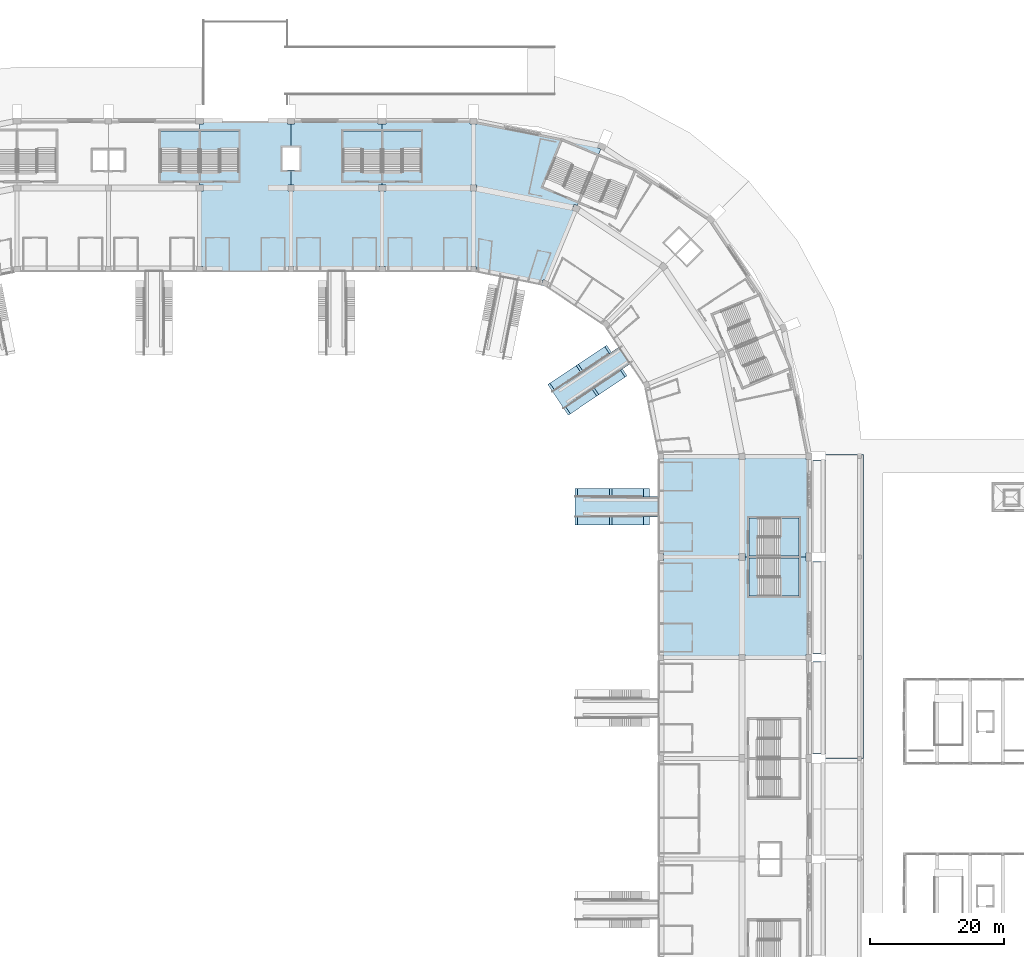
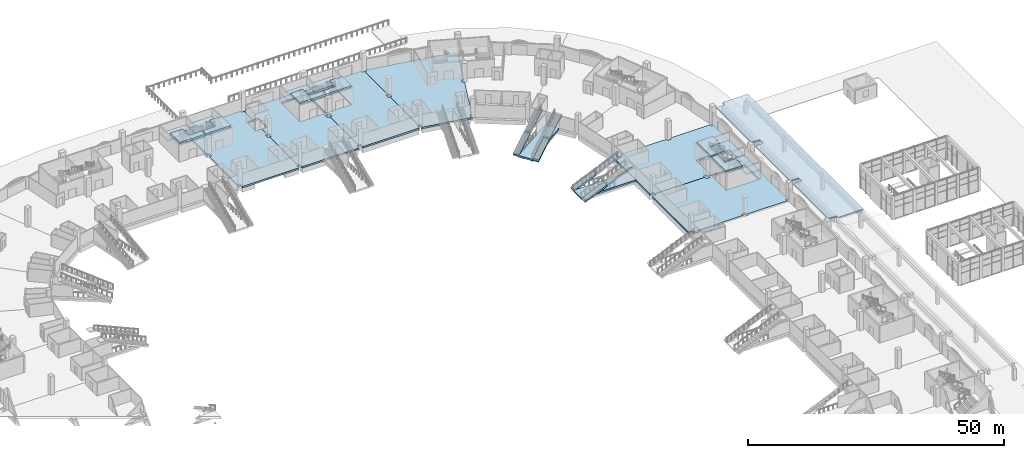
# One storey, part 23 of 175: 29 slabs, 6 elements without a shape of their own.
"""IFC4 building model written with IfcOpenShell, lengths in metres."""

import ifcopenshell
import ifcopenshell.guid

model = None  # the IFC model being written
_history = None  # IfcOwnerHistory: only IFC2X3 demands one
_inside = {}  # id of a spatial element -> (the spatial element, [elements in it])
_under = {}  # id of a project, library or spatial element -> (it, [spatial elements below it])
_declared = {}  # id of a project -> (the project, [libraries it declares])
_typed = {}  # id of a type object -> (the type object, [elements of that type])
_made_of = {}  # id of a material, layer set ... -> (it, [elements and type objects made of it])


def new_model(schema):
    """Start an empty IFC model of exactly this schema.

    Asked for "IFC4X3", IfcOpenShell would pick the latest addendum, in which some entities
    have other attributes; the version numbers below select the first issue.
    IFC2X3 requires an IfcOwnerHistory on every rooted entity: one is made here for all.
    """
    global model, _history
    if schema == "IFC4X3":
        model = ifcopenshell.file(schema_version=(4, 3, 0, 0))
    else:
        model = ifcopenshell.file(schema=schema)
    _inside.clear()
    _under.clear()
    _declared.clear()
    _typed.clear()
    _made_of.clear()
    _history = None
    if model.schema == "IFC2X3":
        org = make("IfcOrganization", Name="unknown")
        user = make(
            "IfcPersonAndOrganization",
            ThePerson=make("IfcPerson", FamilyName="unknown"),
            TheOrganization=org,
        )
        app = make(
            "IfcApplication",
            ApplicationDeveloper=org,
            Version="unknown",
            ApplicationFullName="unknown",
            ApplicationIdentifier="unknown",
        )
        _history = make(
            "IfcOwnerHistory",
            OwningUser=user,
            OwningApplication=app,
            ChangeAction="ADDED",
            CreationDate=0,
        )
    return model


def make(cls, **values):
    """One entity of the class cls with the attributes given. An attribute that is None is left unset."""
    return model.create_entity(
        cls, **{name: value for name, value in values.items() if value is not None}
    )


def rooted(cls, **values):
    """An entity with a GlobalId (a new one), such as an element, a storey or a relation."""
    return make(cls, GlobalId=ifcopenshell.guid.new(), OwnerHistory=_history, **values)


def si_unit(unit_type, name, prefix=None):
    """IfcSIUnit, for example si_unit("LENGTHUNIT", "METRE", prefix="MILLI")."""
    return make("IfcSIUnit", UnitType=unit_type, Prefix=prefix, Name=name)


def assignment(units):
    """IfcUnitAssignment: the units of a project."""
    return None if units is None else make("IfcUnitAssignment", Units=units)


def point(xyz):
    """IfcCartesianPoint."""
    return None if xyz is None else make("IfcCartesianPoint", Coordinates=xyz)


def direction(xyz):
    """IfcDirection."""
    return None if xyz is None else make("IfcDirection", DirectionRatios=xyz)


def frame(location, z_axis=None, x_axis=None):
    """IfcAxis2Placement3D, a coordinate frame: its origin and axes. An axis left out is left unset."""
    return make(
        "IfcAxis2Placement3D",
        Location=point(location),
        Axis=direction(z_axis),
        RefDirection=direction(x_axis),
    )


def origin():
    """The frame at (0, 0, 0) with its axes left unset."""
    return frame((0.0, 0.0, 0.0))


def place(relative_to, where):
    """IfcLocalPlacement: puts the frame where relative to a parent placement (None: the world)."""
    return make(
        "IfcLocalPlacement", PlacementRelTo=relative_to, RelativePlacement=where
    )


def context(
    kind, dimensions, precision=None, world=None, true_north=None, identifier=None
):
    """IfcGeometricRepresentationContext, for example the 3D "Model" context."""
    return make(
        "IfcGeometricRepresentationContext",
        ContextIdentifier=identifier,
        ContextType=kind,
        CoordinateSpaceDimension=dimensions,
        Precision=precision,
        WorldCoordinateSystem=world,
        TrueNorth=true_north,
    )


def subcontext(parent, identifier, kind, view, scale=None):
    """IfcGeometricRepresentationSubContext, for example "Body" below "Model"."""
    return make(
        "IfcGeometricRepresentationSubContext",
        ContextIdentifier=identifier,
        ContextType=kind,
        ParentContext=parent,
        TargetScale=scale,
        TargetView=view,
    )


def project(units=None, contexts=None):
    """IfcProject with its units and contexts."""
    return rooted(
        "IfcProject",
        Name="project",
        RepresentationContexts=contexts,
        UnitsInContext=assignment(units),
    )


def spatial(cls, under=None, at=None, **own):
    """A site, building, storey or space (cls), placed at a placement, below another one or the project."""
    s = rooted(cls, ObjectPlacement=at, **own)
    if under is not None:
        _under.setdefault(under.id(), (under, []))[1].append(s)
    return s


def polyline(points):
    """IfcPolyline through the points."""
    return make("IfcPolyline", Points=[point(p) for p in points])


def outline(outer, holes=None, kind="AREA"):
    """IfcArbitraryClosedProfileDef: a profile drawn as a closed curve; with holes, ...WithVoids."""
    if holes is None:
        return make("IfcArbitraryClosedProfileDef", ProfileType=kind, OuterCurve=outer)
    return make(
        "IfcArbitraryProfileDefWithVoids",
        ProfileType=kind,
        OuterCurve=outer,
        InnerCurves=holes,
    )


def extrude(swept, where, along, depth):
    """IfcExtrudedAreaSolid: the profile swept, set in the frame where, extruded along a direction by depth."""
    return make(
        "IfcExtrudedAreaSolid",
        SweptArea=swept,
        Position=where,
        ExtrudedDirection=direction(along),
        Depth=depth,
    )


def shape(context_of_items, identifier, shape_type, items):
    """IfcShapeRepresentation: the items that make up one representation, for example the "Body"."""
    return make(
        "IfcShapeRepresentation",
        ContextOfItems=context_of_items,
        RepresentationIdentifier=identifier,
        RepresentationType=shape_type,
        Items=items,
    )


def material(Name=None, Category=None):
    """IfcMaterial."""
    return make("IfcMaterial", Name=Name, Category=Category)


def layer(
    of_material, thickness, ventilated=None, Name=None, Category=None, Priority=None
):
    """IfcMaterialLayer: one layer of a wall or slab, of a material (None: an air gap)."""
    return make(
        "IfcMaterialLayer",
        Material=of_material,
        LayerThickness=thickness,
        IsVentilated=ventilated,
        Name=Name,
        Category=Category,
        Priority=Priority,
    )


def layer_set(layers, Name=None):
    """IfcMaterialLayerSet."""
    return make("IfcMaterialLayerSet", MaterialLayers=layers, LayerSetName=Name)


def made_of(thing, what):
    """Note that an element or type object is made of a material, layer set ...; save() writes the relation."""
    if what is not None:
        _made_of.setdefault(what.id(), (what, []))[1].append(thing)
    return thing


def type_object(cls, material=None, **own):
    """A type object (cls), such as IfcWallType, which elements share."""
    return made_of(rooted(cls, **own), material)


def element(
    cls,
    number,
    at=None,
    inside=None,
    cuts=None,
    type_object=None,
    material=None,
    context=None,
    identifier="Body",
    shape_type=None,
    held_by="IfcProductDefinitionShape",
    body=None,
    shapes=None,
    **own,
):
    """One element of the class cls, such as IfcWall. Its Tag is "e" and its number.

    at: its placement. inside: the storey or other place that contains it. cuts: it is an
    opening in that element (IfcRelVoidsElement). A single representation is given by context,
    identifier, shape_type and body (its items); several are given by shapes. held_by: the class
    of the entity that holds the representations. save() writes the other relations.
    """
    e = rooted(cls, Tag="e%d" % number, ObjectPlacement=at, **own)
    if body is not None:
        shapes = [shape(context, identifier, shape_type, body)]
    if shapes is not None:
        e.Representation = make(held_by, Representations=shapes)
    if inside is not None:
        _inside.setdefault(inside.id(), (inside, []))[1].append(e)
    if cuts is not None:
        rooted(
            "IfcRelVoidsElement", RelatingBuildingElement=cuts, RelatedOpeningElement=e
        )
    if type_object is not None:
        _typed.setdefault(type_object.id(), (type_object, []))[1].append(e)
    return made_of(e, material)


def aggregate(whole, parts):
    """IfcRelAggregates: a whole, such as a stair, and the parts it consists of."""
    return rooted("IfcRelAggregates", RelatingObject=whole, RelatedObjects=parts)


def save(model, path):
    """Write the relations noted so far, then the file.

    IfcRelAggregates (storeys below a building ...), IfcRelContainedInSpatialStructure (elements
    in a storey), IfcRelDefinesByType, IfcRelAssociatesMaterial and IfcRelDeclares: one each for
    every whole, place, type object, material and project.
    """
    for whole, parts in _under.values():
        aggregate(whole, parts)
    for where, things in _inside.values():
        rooted(
            "IfcRelContainedInSpatialStructure",
            RelatedElements=things,
            RelatingStructure=where,
        )
    for kind, things in _typed.values():
        rooted("IfcRelDefinesByType", RelatedObjects=things, RelatingType=kind)
    for what, things in _made_of.values():
        rooted("IfcRelAssociatesMaterial", RelatedObjects=things, RelatingMaterial=what)
    for by, libraries in _declared.values():
        rooted("IfcRelDeclares", RelatingContext=by, RelatedDefinitions=libraries)
    model.write(path)


model = new_model("IFC4")

# Units and contexts
model_context = context("Model", 3, precision=1e-05, world=origin(), true_north=direction((0.0, 1.0)))
body_context = subcontext(model_context, "Body", "Model", "MODEL_VIEW")
ifc_project = project(units=[si_unit("LENGTHUNIT", "METRE"), si_unit("AREAUNIT", "SQUARE_METRE"), si_unit("VOLUMEUNIT", "CUBIC_METRE"), si_unit("PLANEANGLEUNIT", "RADIAN"), si_unit("MASSUNIT", "GRAM", prefix="KILO")], contexts=[model_context])

# Site, building, storey
site_placement = place(None, origin())
site = spatial("IfcSite", under=ifc_project, at=site_placement, CompositionType="ELEMENT")
building_placement = place(site_placement, origin())
building = spatial("IfcBuilding", under=site, at=building_placement, Name="Ogive Plaza Stadium", CompositionType="ELEMENT")
storey_placement = place(building_placement, origin())
storey = spatial("IfcBuildingStorey", under=building, at=storey_placement, Name="L00", CompositionType="ELEMENT", Elevation=0.0)

# Slabs
ifc_material_1 = material(Name="Concrete C40/50", Category="concrete")
ifc_layer_1 = layer(ifc_material_1, 0.52587890625)
ifc_layer_set_1 = layer_set([ifc_layer_1], Name="Concrete C40/50")
ifc_layer_2 = layer(ifc_material_1, 0.449951171875)
ifc_layer_set_2 = layer_set([ifc_layer_2], Name="Concrete C40/50")
slab_type_1 = type_object("IfcSlabType", Name="Aisle stair slab 1300", PredefinedType="USERDEFINED", material=ifc_layer_set_2)
slab_1_placement = place(storey_placement, frame((49.14990234375, 42.874755859375, 0.0), z_axis=(0.0, 0.0, 1.0), x_axis=(1.0, 0.0, 0.0)))
element("IfcSlab", 1, at=slab_1_placement, inside=storey, type_object=slab_type_1, material=ifc_layer_set_1, Name="Aisle stair SA01L slab 1", ObjectType="AISLE STAIR SLAB", PredefinedType="USERDEFINED", context=body_context, shape_type="SweptSolid", body=[
    extrude(outline(polyline([(0.0, 0.0), (0.37158203125, 0.0), (5.10009765625, 2.086181640625), (5.10009765625, 1.675048828125), (5.01220703125, 1.63623046875), (4.8623046875, 1.570068359375), (4.71240234375, 1.50390625), (4.562255859375, 1.437744140625), (4.412353515625, 1.37158203125), (4.26220703125, 1.305419921875), (4.1123046875, 1.2392578125), (3.96240234375, 1.173095703125), (3.812255859375, 1.10693359375), (3.662353515625, 1.040771484375), (3.51220703125, 0.974609375), (3.3623046875, 0.908447265625), (3.21240234375, 0.84228515625), (3.062255859375, 0.77587890625), (2.912353515625, 0.709716796875), (2.76220703125, 0.643798828125), (2.6123046875, 0.577392578125), (2.46240234375, 0.51123046875), (2.312255859375, 0.445068359375), (2.162353515625, 0.37890625), (2.01220703125, 0.312744140625), (1.8623046875, 0.24658203125), (1.71240234375, 0.180419921875), (1.562255859375, 0.1142578125), (1.412353515625, 0.048095703125), (1.26220703125, -0.01806640625), (1.1123046875, -0.084228515625), (0.96240234375, -0.150390625), (0.812255859375, -0.216552734375), (0.662353515625, -0.28271484375), (0.51220703125, -0.34912109375), (0.3623046875, -0.415283203125), (0.21240234375, -0.481201171875), (0.0, 0.0)])), frame((0.0, 0.624755859375, 0.0), z_axis=(0.0, -1.0, 0.0), x_axis=(1.0, 0.0, 0.0)), (0.0, 0.0, 1.0), 1.24951171875),
])
ifc_layer_3 = layer(ifc_material_1, 0.82373046875)
ifc_layer_set_3 = layer_set([ifc_layer_3], Name="Concrete C40/50")
slab_2_placement = place(storey_placement, frame((54.25, 42.89990234375, 0.0), z_axis=(0.0, 0.0, 1.0), x_axis=(1.0, 0.0, 0.0)))
element("IfcSlab", 2, at=slab_2_placement, inside=storey, type_object=slab_type_1, material=ifc_layer_set_3, Name="Aisle stair SA01L slab 2", ObjectType="AISLE STAIR SLAB", PredefinedType="USERDEFINED", context=body_context, shape_type="SweptSolid", body=[
    extrude(outline(polyline([(0.0, 2.25), (0.37158203125, 2.25), (5.10009765625, 4.336181640625), (5.949951171875, 4.336181640625), (5.949951171875, 4.300048828125), (5.85009765625, 4.255859375), (5.699951171875, 4.189697265625), (5.550048828125, 4.12353515625), (5.39990234375, 4.057373046875), (5.25, 3.9912109375), (5.10009765625, 3.925048828125), (4.949951171875, 3.85888671875), (4.800048828125, 3.79248046875), (4.64990234375, 3.7265625), (4.5, 3.660400390625), (4.35009765625, 3.593994140625), (4.199951171875, 3.52783203125), (4.050048828125, 3.4619140625), (3.89990234375, 3.3955078125), (3.75, 3.329345703125), (3.60009765625, 3.26318359375), (3.449951171875, 3.197021484375), (3.300048828125, 3.130859375), (3.14990234375, 3.064697265625), (3.0, 2.99853515625), (2.85009765625, 2.932373046875), (2.699951171875, 2.8662109375), (2.550048828125, 2.800048828125), (2.39990234375, 2.73388671875), (2.25, 2.66748046875), (2.10009765625, 2.6015625), (1.949951171875, 2.535400390625), (1.800048828125, 2.468994140625), (1.64990234375, 2.40283203125), (1.5, 2.3369140625), (1.35009765625, 2.2705078125), (1.199951171875, 2.204345703125), (1.050048828125, 2.13818359375), (0.89990234375, 2.072021484375), (0.75, 2.005859375), (0.60009765625, 1.939697265625), (0.449951171875, 1.87353515625), (0.300048828125, 1.807373046875), (0.14990234375, 1.7412109375), (0.0, 1.675048828125), (0.0, 2.25)])), frame((0.0, 0.64990234375, 0.0), z_axis=(0.0, -1.0, 0.0), x_axis=(1.0, 0.0, 0.0)), (0.0, 0.0, 1.0), 1.300048828125),
])
slab_3_placement = place(storey_placement, frame((49.14990234375, 47.125244140625, 0.0), z_axis=(0.0, 0.0, 1.0), x_axis=(1.0, 0.0, 0.0)))
element("IfcSlab", 3, at=slab_3_placement, inside=storey, type_object=slab_type_1, material=ifc_layer_set_1, Name="Aisle stair SA01R slab 1", ObjectType="AISLE STAIR SLAB", PredefinedType="USERDEFINED", context=body_context, shape_type="SweptSolid", body=[
    extrude(outline(polyline([(0.0, 0.0), (0.37158203125, 0.0), (5.10009765625, 2.086181640625), (5.10009765625, 1.675048828125), (5.01220703125, 1.63623046875), (4.8623046875, 1.570068359375), (4.71240234375, 1.50390625), (4.562255859375, 1.437744140625), (4.412353515625, 1.37158203125), (4.26220703125, 1.305419921875), (4.1123046875, 1.2392578125), (3.96240234375, 1.173095703125), (3.812255859375, 1.10693359375), (3.662353515625, 1.040771484375), (3.51220703125, 0.974609375), (3.3623046875, 0.908447265625), (3.21240234375, 0.84228515625), (3.062255859375, 0.77587890625), (2.912353515625, 0.709716796875), (2.76220703125, 0.643798828125), (2.6123046875, 0.577392578125), (2.46240234375, 0.51123046875), (2.312255859375, 0.445068359375), (2.162353515625, 0.37890625), (2.01220703125, 0.312744140625), (1.8623046875, 0.24658203125), (1.71240234375, 0.180419921875), (1.562255859375, 0.1142578125), (1.412353515625, 0.048095703125), (1.26220703125, -0.01806640625), (1.1123046875, -0.084228515625), (0.96240234375, -0.150390625), (0.812255859375, -0.216552734375), (0.662353515625, -0.28271484375), (0.51220703125, -0.34912109375), (0.3623046875, -0.415283203125), (0.21240234375, -0.481201171875), (0.0, 0.0)])), frame((0.0, 0.624755859375, 0.0), z_axis=(0.0, -1.0, 0.0), x_axis=(1.0, 0.0, 0.0)), (0.0, 0.0, 1.0), 1.24951171875),
])
slab_4_placement = place(storey_placement, frame((54.25, 47.10009765625, 0.0), z_axis=(0.0, 0.0, 1.0), x_axis=(1.0, 0.0, 0.0)))
element("IfcSlab", 4, at=slab_4_placement, inside=storey, type_object=slab_type_1, material=ifc_layer_set_3, Name="Aisle stair SA01R slab 2", ObjectType="AISLE STAIR SLAB", PredefinedType="USERDEFINED", context=body_context, shape_type="SweptSolid", body=[
    extrude(outline(polyline([(0.0, 2.25), (0.37158203125, 2.25), (5.10009765625, 4.336181640625), (5.949951171875, 4.336181640625), (5.949951171875, 4.300048828125), (5.85009765625, 4.255859375), (5.699951171875, 4.189697265625), (5.550048828125, 4.12353515625), (5.39990234375, 4.057373046875), (5.25, 3.9912109375), (5.10009765625, 3.925048828125), (4.949951171875, 3.85888671875), (4.800048828125, 3.79248046875), (4.64990234375, 3.7265625), (4.5, 3.660400390625), (4.35009765625, 3.593994140625), (4.199951171875, 3.52783203125), (4.050048828125, 3.4619140625), (3.89990234375, 3.3955078125), (3.75, 3.329345703125), (3.60009765625, 3.26318359375), (3.449951171875, 3.197021484375), (3.300048828125, 3.130859375), (3.14990234375, 3.064697265625), (3.0, 2.99853515625), (2.85009765625, 2.932373046875), (2.699951171875, 2.8662109375), (2.550048828125, 2.800048828125), (2.39990234375, 2.73388671875), (2.25, 2.66748046875), (2.10009765625, 2.6015625), (1.949951171875, 2.535400390625), (1.800048828125, 2.468994140625), (1.64990234375, 2.40283203125), (1.5, 2.3369140625), (1.35009765625, 2.2705078125), (1.199951171875, 2.204345703125), (1.050048828125, 2.13818359375), (0.89990234375, 2.072021484375), (0.75, 2.005859375), (0.60009765625, 1.939697265625), (0.449951171875, 1.87353515625), (0.300048828125, 1.807373046875), (0.14990234375, 1.7412109375), (0.0, 1.675048828125), (0.0, 2.25)])), frame((0.0, 0.64990234375, 0.0), z_axis=(0.0, -1.0, 0.0), x_axis=(1.0, 0.0, 0.0)), (0.0, 0.0, 1.0), 1.300048828125),
])
slab_5_placement = place(storey_placement, frame((47.777587890625, 59.14990234375, 0.0), z_axis=(0.0, 0.0, 1.0), x_axis=(0.831469612303, 0.55557023302, 0.0)))
element("IfcSlab", 5, at=slab_5_placement, inside=storey, type_object=slab_type_1, material=ifc_layer_set_1, Name="Aisle stair SA39L slab 1", ObjectType="AISLE STAIR SLAB", PredefinedType="USERDEFINED", context=body_context, shape_type="SweptSolid", body=[
    extrude(outline(polyline([(0.0, 0.0), (0.37158203125, 0.0), (5.10009765625, 2.086181640625), (5.10009765625, 1.675048828125), (5.01220703125, 1.63623046875), (4.8623046875, 1.570068359375), (4.71240234375, 1.50390625), (4.562255859375, 1.437744140625), (4.412353515625, 1.37158203125), (4.26220703125, 1.305419921875), (4.1123046875, 1.2392578125), (3.96240234375, 1.173095703125), (3.812255859375, 1.10693359375), (3.662353515625, 1.040771484375), (3.51220703125, 0.974609375), (3.3623046875, 0.908447265625), (3.21240234375, 0.84228515625), (3.062255859375, 0.77587890625), (2.912353515625, 0.709716796875), (2.76220703125, 0.643798828125), (2.6123046875, 0.577392578125), (2.46240234375, 0.51123046875), (2.312255859375, 0.445068359375), (2.162353515625, 0.37890625), (2.01220703125, 0.312744140625), (1.8623046875, 0.24658203125), (1.71240234375, 0.180419921875), (1.562255859375, 0.1142578125), (1.412353515625, 0.048095703125), (1.26220703125, -0.01806640625), (1.1123046875, -0.084228515625), (0.96240234375, -0.150390625), (0.812255859375, -0.216552734375), (0.662353515625, -0.28271484375), (0.51220703125, -0.34912109375), (0.3623046875, -0.415283203125), (0.21240234375, -0.481201171875), (0.0, 0.0)])), frame((0.0, 0.624755859375, 0.0), z_axis=(0.0, -1.0, 0.0), x_axis=(1.0, 0.0, 0.0)), (0.0, 0.0, 1.0), 1.24951171875),
])
ifc_layer_4 = layer(ifc_material_1, 0.660888671875)
ifc_layer_set_4 = layer_set([ifc_layer_4], Name="Concrete C40/50")
slab_6_placement = place(storey_placement, frame((52.00390625, 62.004150390625, 0.0), z_axis=(0.0, 0.0, 1.0), x_axis=(0.831469612303, 0.55557023302, 0.0)))
element("IfcSlab", 6, at=slab_6_placement, inside=storey, type_object=slab_type_1, material=ifc_layer_set_4, Name="Aisle stair SA39L slab 2", ObjectType="AISLE STAIR SLAB", PredefinedType="USERDEFINED", context=body_context, shape_type="SweptSolid", body=[
    extrude(outline(polyline([(0.0, 2.25), (0.37158203125, 2.25), (5.10009765625, 4.336181640625), (5.446533203125, 4.336181640625), (5.446533203125, 4.077880859375), (5.39990234375, 4.057373046875), (5.25, 3.9912109375), (5.10009765625, 3.925048828125), (4.949951171875, 3.85888671875), (4.800048828125, 3.79248046875), (4.64990234375, 3.7265625), (4.5, 3.660400390625), (4.35009765625, 3.593994140625), (4.199951171875, 3.52783203125), (4.050048828125, 3.4619140625), (3.89990234375, 3.3955078125), (3.75, 3.329345703125), (3.60009765625, 3.26318359375), (3.449951171875, 3.197021484375), (3.300048828125, 3.130859375), (3.14990234375, 3.064697265625), (3.0, 2.99853515625), (2.85009765625, 2.932373046875), (2.699951171875, 2.8662109375), (2.550048828125, 2.800048828125), (2.39990234375, 2.73388671875), (2.25, 2.66748046875), (2.10009765625, 2.6015625), (1.949951171875, 2.535400390625), (1.800048828125, 2.468994140625), (1.64990234375, 2.40283203125), (1.5, 2.3369140625), (1.35009765625, 2.2705078125), (1.199951171875, 2.204345703125), (1.050048828125, 2.13818359375), (0.89990234375, 2.072021484375), (0.75, 2.005859375), (0.60009765625, 1.939697265625), (0.449951171875, 1.87353515625), (0.300048828125, 1.807373046875), (0.14990234375, 1.7412109375), (0.0, 1.675048828125), (0.0, 2.25)])), frame((0.0, 0.64990234375, 0.0), z_axis=(0.0, -1.0, 0.0), x_axis=(1.0, 0.0, 0.0)), (0.0, 0.0, 1.0), 1.300048828125),
])
slab_7_placement = place(storey_placement, frame((45.416015625, 62.68408203125, 0.0), z_axis=(0.0, 0.0, 1.0), x_axis=(0.831469612303, 0.55557023302, 0.0)))
element("IfcSlab", 7, at=slab_7_placement, inside=storey, type_object=slab_type_1, material=ifc_layer_set_1, Name="Aisle stair SA39R slab 1", ObjectType="AISLE STAIR SLAB", PredefinedType="USERDEFINED", context=body_context, shape_type="SweptSolid", body=[
    extrude(outline(polyline([(0.0, 0.0), (0.37158203125, 0.0), (5.10009765625, 2.086181640625), (5.10009765625, 1.675048828125), (5.01220703125, 1.63623046875), (4.8623046875, 1.570068359375), (4.71240234375, 1.50390625), (4.562255859375, 1.437744140625), (4.412353515625, 1.37158203125), (4.26220703125, 1.305419921875), (4.1123046875, 1.2392578125), (3.96240234375, 1.173095703125), (3.812255859375, 1.10693359375), (3.662353515625, 1.040771484375), (3.51220703125, 0.974609375), (3.3623046875, 0.908447265625), (3.21240234375, 0.84228515625), (3.062255859375, 0.77587890625), (2.912353515625, 0.709716796875), (2.76220703125, 0.643798828125), (2.6123046875, 0.577392578125), (2.46240234375, 0.51123046875), (2.312255859375, 0.445068359375), (2.162353515625, 0.37890625), (2.01220703125, 0.312744140625), (1.8623046875, 0.24658203125), (1.71240234375, 0.180419921875), (1.562255859375, 0.1142578125), (1.412353515625, 0.048095703125), (1.26220703125, -0.01806640625), (1.1123046875, -0.084228515625), (0.96240234375, -0.150390625), (0.812255859375, -0.216552734375), (0.662353515625, -0.28271484375), (0.51220703125, -0.34912109375), (0.3623046875, -0.415283203125), (0.21240234375, -0.481201171875), (0.0, 0.0)])), frame((0.0, 0.624755859375, 0.0), z_axis=(0.0, -1.0, 0.0), x_axis=(1.0, 0.0, 0.0)), (0.0, 0.0, 1.0), 1.24951171875),
])
slab_8_placement = place(storey_placement, frame((49.670654296875, 65.496337890625, 0.0), z_axis=(0.0, 0.0, 1.0), x_axis=(0.831469612303, 0.55557023302, 0.0)))
element("IfcSlab", 8, at=slab_8_placement, inside=storey, type_object=slab_type_1, material=ifc_layer_set_4, Name="Aisle stair SA39R slab 2", ObjectType="AISLE STAIR SLAB", PredefinedType="USERDEFINED", context=body_context, shape_type="SweptSolid", body=[
    extrude(outline(polyline([(0.0, 2.25), (0.37158203125, 2.25), (5.10009765625, 4.336181640625), (5.446533203125, 4.336181640625), (5.446533203125, 4.077880859375), (5.39990234375, 4.057373046875), (5.25, 3.9912109375), (5.10009765625, 3.925048828125), (4.949951171875, 3.85888671875), (4.800048828125, 3.79248046875), (4.64990234375, 3.7265625), (4.5, 3.660400390625), (4.35009765625, 3.593994140625), (4.199951171875, 3.52783203125), (4.050048828125, 3.4619140625), (3.89990234375, 3.3955078125), (3.75, 3.329345703125), (3.60009765625, 3.26318359375), (3.449951171875, 3.197021484375), (3.300048828125, 3.130859375), (3.14990234375, 3.064697265625), (3.0, 2.99853515625), (2.85009765625, 2.932373046875), (2.699951171875, 2.8662109375), (2.550048828125, 2.800048828125), (2.39990234375, 2.73388671875), (2.25, 2.66748046875), (2.10009765625, 2.6015625), (1.949951171875, 2.535400390625), (1.800048828125, 2.468994140625), (1.64990234375, 2.40283203125), (1.5, 2.3369140625), (1.35009765625, 2.2705078125), (1.199951171875, 2.204345703125), (1.050048828125, 2.13818359375), (0.89990234375, 2.072021484375), (0.75, 2.005859375), (0.60009765625, 1.939697265625), (0.449951171875, 1.87353515625), (0.300048828125, 1.807373046875), (0.14990234375, 1.7412109375), (0.0, 1.675048828125), (0.0, 2.25)])), frame((0.0, 0.64990234375, 0.0), z_axis=(0.0, -1.0, 0.0), x_axis=(1.0, 0.0, 0.0)), (0.0, 0.0, 1.0), 1.300048828125),
])
ifc_material_2 = material(Name="Concrete C40/50", Category="concrete")
ifc_layer_5 = layer(ifc_material_2, 0.300048828125)
ifc_layer_set_5 = layer_set([ifc_layer_5], Name="Concrete C40/50")
slab_type_2 = type_object("IfcSlabType", Name="Arcade roof slab 300", PredefinedType="ROOF", material=ifc_layer_set_5)
slab_9_placement = place(storey_placement, frame((0.0, 0.0, 3.800048828125)))
element("IfcSlab", 9, at=slab_9_placement, inside=storey, type_object=slab_type_2, Name="Arcade roof slab 1", PredefinedType="ROOF", context=body_context, shape_type="SweptSolid", body=[
    extrude(outline(polyline([(84.550048828125, 8.14990234375), (86.419921875, 8.14990234375), (86.419921875, 7.510009765625), (92.10009765625, 7.510009765625), (92.10009765625, 52.800048828125), (86.419921875, 52.800048828125), (86.419921875, 51.949951171875), (84.550048828125, 51.949951171875), (84.550048828125, 38.14990234375), (86.419921875, 38.14990234375), (86.419921875, 36.85009765625), (84.550048828125, 36.85009765625), (84.550048828125, 23.050048828125), (86.419921875, 23.050048828125), (86.419921875, 21.949951171875), (84.550048828125, 21.949951171875), (84.550048828125, 8.14990234375)])), origin(), (0.0, 0.0, 1.0), 0.300048828125),
])
ifc_material_3 = material(Name="Concrete C40/50", Category="concrete")
ifc_layer_6 = layer(ifc_material_3, 0.409912109375)
ifc_layer_set_6 = layer_set([ifc_layer_6], Name="Concrete C40/50")
slab_type_3 = type_object("IfcSlabType", Name="RC floor slab 410", PredefinedType="FLOOR", material=ifc_layer_set_6)
slab_10_placement = place(storey_placement, frame((0.0, 0.0, -0.409912109375)))
element("IfcSlab", 10, at=slab_10_placement, inside=storey, type_object=slab_type_3, Name="Floor slab L00 B01", PredefinedType="FLOOR", context=body_context, shape_type="SweptSolid", body=[
    extrude(outline(polyline([(73.550048828125, 37.5), (73.550048828125, 38.050048828125), (74.449951171875, 38.050048828125), (74.449951171875, 37.5), (83.550048828125, 37.5), (83.550048828125, 38.10009765625), (84.0, 38.10009765625), (84.0, 52.0), (83.550048828125, 52.0), (83.550048828125, 52.5), (74.449951171875, 52.5), (74.449951171875, 52.050048828125), (73.550048828125, 52.050048828125), (73.550048828125, 52.5), (62.300048828125, 52.5), (62.300048828125, 52.10009765625), (61.5, 52.10009765625), (61.5, 38.0), (62.300048828125, 38.0), (62.300048828125, 37.5), (73.550048828125, 37.5)]), holes=[polyline([(75.050048828125, 37.625), (82.510009765625, 37.625), (82.510009765625, 43.324951171875), (75.050048828125, 43.324951171875), (75.050048828125, 37.625)])]), origin(), (0.0, 0.0, 1.0), 0.409912109375),
])
slab_11_placement = place(storey_placement, frame((0.0, 0.0, -0.409912109375)))
element("IfcSlab", 11, at=slab_11_placement, inside=storey, type_object=slab_type_3, Name="Floor slab L00 B02", PredefinedType="FLOOR", context=body_context, shape_type="SweptSolid", body=[
    extrude(outline(polyline([(73.550048828125, 22.5), (73.550048828125, 22.949951171875), (74.449951171875, 22.949951171875), (74.449951171875, 22.5), (83.550048828125, 22.5), (83.550048828125, 23.0), (84.0, 23.0), (84.0, 36.89990234375), (83.550048828125, 36.89990234375), (83.550048828125, 37.5), (74.449951171875, 37.5), (74.449951171875, 36.949951171875), (73.550048828125, 36.949951171875), (73.550048828125, 37.5), (62.300048828125, 37.5), (62.300048828125, 37.0), (61.5, 37.0), (61.5, 22.89990234375), (62.300048828125, 22.89990234375), (62.300048828125, 22.5), (73.550048828125, 22.5)]), holes=[polyline([(75.050048828125, 31.675048828125), (82.510009765625, 31.675048828125), (82.510009765625, 37.375), (75.050048828125, 37.375), (75.050048828125, 31.675048828125)])]), origin(), (0.0, 0.0, 1.0), 0.409912109375),
])
slab_12_placement = place(storey_placement, frame((0.0, 0.0, -0.409912109375)))
element("IfcSlab", 12, at=slab_12_placement, inside=storey, type_object=slab_type_3, Name="Floor slab L00 B34", PredefinedType="FLOOR", context=body_context, shape_type="SweptSolid", body=[
    extrude(outline(polyline([(6.800048828125, 92.050048828125), (6.35009765625, 92.050048828125), (6.35009765625, 92.949951171875), (6.800048828125, 92.949951171875), (6.800048828125, 95.14990234375), (5.5, 95.14990234375), (5.5, 98.550048828125), (6.800048828125, 98.550048828125), (6.800048828125, 102.050048828125), (6.300048828125, 102.050048828125), (6.300048828125, 102.5), (-6.199951171875, 102.5), (-6.199951171875, 102.050048828125), (-6.800048828125, 102.050048828125), (-6.800048828125, 92.949951171875), (-6.25, 92.949951171875), (-6.25, 92.050048828125), (-6.800048828125, 92.050048828125), (-6.800048828125, 80.800048828125), (-6.300048828125, 80.800048828125), (-6.300048828125, 80.0), (6.39990234375, 80.0), (6.39990234375, 80.800048828125), (6.800048828125, 80.800048828125), (6.800048828125, 92.050048828125)])), origin(), (0.0, 0.0, 1.0), 0.409912109375),
])
slab_13_placement = place(storey_placement, frame((0.0, 0.0, -0.409912109375)))
element("IfcSlab", 13, at=slab_13_placement, inside=storey, type_object=slab_type_3, Name="Floor slab L00 B35", PredefinedType="FLOOR", context=body_context, shape_type="SweptSolid", body=[
    extrude(outline(polyline([(20.39990234375, 92.050048828125), (19.85009765625, 92.050048828125), (19.85009765625, 92.949951171875), (20.39990234375, 92.949951171875), (20.39990234375, 102.050048828125), (19.800048828125, 102.050048828125), (19.800048828125, 102.5), (7.300048828125, 102.5), (7.300048828125, 102.050048828125), (6.800048828125, 102.050048828125), (6.800048828125, 98.550048828125), (8.10009765625, 98.550048828125), (8.10009765625, 95.14990234375), (6.800048828125, 95.14990234375), (6.800048828125, 92.949951171875), (7.25, 92.949951171875), (7.25, 92.050048828125), (6.800048828125, 92.050048828125), (6.800048828125, 80.800048828125), (7.199951171875, 80.800048828125), (7.199951171875, 80.0), (19.89990234375, 80.0), (19.89990234375, 80.800048828125), (20.39990234375, 80.800048828125), (20.39990234375, 92.050048828125)]), holes=[polyline([(20.27490234375, 93.550048828125), (20.27490234375, 101.010009765625), (14.574951171875, 101.010009765625), (14.574951171875, 93.550048828125), (20.27490234375, 93.550048828125)])]), origin(), (0.0, 0.0, 1.0), 0.409912109375),
])
slab_14_placement = place(storey_placement, frame((0.0, 0.0, -0.409912109375)))
element("IfcSlab", 14, at=slab_14_placement, inside=storey, type_object=slab_type_3, Name="Floor slab L00 B36", PredefinedType="FLOOR", context=body_context, shape_type="SweptSolid", body=[
    extrude(outline(polyline([(34.0, 92.050048828125), (33.550048828125, 92.050048828125), (33.550048828125, 92.949951171875), (34.0, 92.949951171875), (34.0, 102.050048828125), (33.5, 102.050048828125), (33.5, 102.5), (21.0, 102.5), (21.0, 102.050048828125), (20.39990234375, 102.050048828125), (20.39990234375, 92.949951171875), (20.949951171875, 92.949951171875), (20.949951171875, 92.050048828125), (20.39990234375, 92.050048828125), (20.39990234375, 80.800048828125), (20.89990234375, 80.800048828125), (20.89990234375, 80.0), (33.60009765625, 80.0), (33.60009765625, 80.800048828125), (34.0, 80.800048828125), (34.0, 92.050048828125)]), holes=[polyline([(26.22509765625, 93.550048828125), (26.22509765625, 101.010009765625), (20.52490234375, 101.010009765625), (20.52490234375, 93.550048828125), (26.22509765625, 93.550048828125)])]), origin(), (0.0, 0.0, 1.0), 0.409912109375),
])
slab_15_placement = place(storey_placement, frame((0.0, 0.0, -0.409912109375)))
element("IfcSlab", 15, at=slab_15_placement, inside=storey, type_object=slab_type_3, Name="Floor slab L00 B37", PredefinedType="FLOOR", context=body_context, shape_type="SweptSolid", body=[
    extrude(outline(polyline([(49.135009765625, 89.03955078125), (48.673095703125, 89.230712890625), (49.017578125, 90.062255859375), (49.4794921875, 89.870849609375), (52.9619140625, 98.2783203125), (52.453857421875, 98.48876953125), (52.584228515625, 98.803466796875), (34.5, 102.400634765625), (34.5, 102.050048828125), (34.0, 102.050048828125), (34.0, 92.949951171875), (34.449951171875, 92.949951171875), (34.449951171875, 92.050048828125), (34.0, 92.050048828125), (34.0, 80.800048828125), (34.39990234375, 80.800048828125), (34.39990234375, 80.0), (34.0, 80.0), (44.523681640625, 77.90673828125), (44.108154296875, 78.078857421875), (44.414306640625, 78.818115234375), (44.829833984375, 78.645751953125), (49.135009765625, 89.03955078125)])), origin(), (0.0, 0.0, 1.0), 0.409912109375),
])

# Stair, slabs
ifc_material_4 = material(Name="Concrete C40/50", Category="concrete")
stair_type = type_object("IfcStairType", Name="Exit stair", PredefinedType="STRAIGHT_RUN_STAIR", material=ifc_material_4)
stair_1_placement = place(storey_placement, origin())
stair_1 = element("IfcStair", 16, at=stair_1_placement, inside=storey, type_object=stair_type, Name="Exit stair ST02A L00 to L01", PredefinedType="STRAIGHT_RUN_STAIR")
ifc_material_5 = material(Name="Concrete C40/50", Category="concrete")
ifc_layer_7 = layer(ifc_material_5, 0.39990234375)
ifc_layer_set_7 = layer_set([ifc_layer_7], Name="Concrete C40/50")
slab_type_4 = type_object("IfcSlabType", Name="Stair landing", PredefinedType="LANDING", material=ifc_layer_set_7)
slab_16_placement = place(storey_placement, frame((0.0, 0.0, 1.85009765625)))
slab_16 = element("IfcSlab", 17, at=slab_16_placement, type_object=slab_type_4, Name="ST02A landing 1", PredefinedType="LANDING", context=body_context, shape_type="SweptSolid", body=[
    extrude(outline(polyline([(82.510009765625, 37.375), (82.510009765625, 31.675048828125), (79.7099609375, 31.675048828125), (79.7099609375, 34.574951171875), (77.31005859375, 34.574951171875), (77.31005859375, 37.375), (79.7099609375, 37.375), (82.510009765625, 37.375)])), origin(), (0.0, 0.0, 1.0), 0.39990234375),
])
slab_17_placement = place(storey_placement, frame((0.0, 0.0, 4.10009765625)))
slab_17 = element("IfcSlab", 18, at=slab_17_placement, type_object=slab_type_4, Name="ST02A landing 2", PredefinedType="LANDING", context=body_context, shape_type="SweptSolid", body=[
    extrude(outline(polyline([(78.75, 34.47509765625), (78.75, 31.675048828125), (76.35009765625, 31.675048828125), (75.050048828125, 31.675048828125), (75.050048828125, 37.375), (76.35009765625, 37.375), (76.35009765625, 34.47509765625), (78.75, 34.47509765625)])), origin(), (0.0, 0.0, 1.0), 0.39990234375),
])
aggregate(stair_1, [slab_16, slab_17])

stair_2_placement = place(storey_placement, origin())
stair_2 = element("IfcStair", 19, at=stair_2_placement, inside=storey, type_object=stair_type, Name="Exit stair ST02B L00 to L01", PredefinedType="STRAIGHT_RUN_STAIR")
slab_18_placement = place(storey_placement, frame((0.0, 0.0, 1.85009765625)))
slab_18 = element("IfcSlab", 20, at=slab_18_placement, type_object=slab_type_4, Name="ST02B landing 1", PredefinedType="LANDING", context=body_context, shape_type="SweptSolid", body=[
    extrude(outline(polyline([(77.31005859375, 37.625), (77.31005859375, 40.425048828125), (79.7099609375, 40.425048828125), (79.7099609375, 43.324951171875), (82.510009765625, 43.324951171875), (82.510009765625, 37.625), (79.7099609375, 37.625), (77.31005859375, 37.625)])), origin(), (0.0, 0.0, 1.0), 0.39990234375),
])
slab_19_placement = place(storey_placement, frame((0.0, 0.0, 4.10009765625)))
slab_19 = element("IfcSlab", 21, at=slab_19_placement, type_object=slab_type_4, Name="ST02B landing 2", PredefinedType="LANDING", context=body_context, shape_type="SweptSolid", body=[
    extrude(outline(polyline([(76.35009765625, 37.625), (75.050048828125, 37.625), (75.050048828125, 43.324951171875), (76.35009765625, 43.324951171875), (78.75, 43.324951171875), (78.75, 40.52490234375), (76.35009765625, 40.52490234375), (76.35009765625, 37.625)])), origin(), (0.0, 0.0, 1.0), 0.39990234375),
])
aggregate(stair_2, [slab_18, slab_19])

stair_3_placement = place(storey_placement, origin())
stair_3 = element("IfcStair", 22, at=stair_3_placement, inside=storey, type_object=stair_type, Name="Exit stair ST34A L00 to L01", PredefinedType="STRAIGHT_RUN_STAIR")
slab_20_placement = place(storey_placement, frame((0.0, 0.0, 1.85009765625)))
slab_20 = element("IfcSlab", 23, at=slab_20_placement, type_object=slab_type_4, Name="ST34A landing 1", PredefinedType="LANDING", context=body_context, shape_type="SweptSolid", body=[
    extrude(outline(polyline([(-6.675048828125, 101.010009765625), (-0.97509765625, 101.010009765625), (-0.97509765625, 98.2099609375), (-3.875, 98.2099609375), (-3.875, 95.81005859375), (-6.675048828125, 95.81005859375), (-6.675048828125, 98.2099609375), (-6.675048828125, 101.010009765625)])), origin(), (0.0, 0.0, 1.0), 0.39990234375),
])
slab_21_placement = place(storey_placement, frame((0.0, 0.0, 4.10009765625)))
slab_21 = element("IfcSlab", 24, at=slab_21_placement, type_object=slab_type_4, Name="ST34A landing 2", PredefinedType="LANDING", context=body_context, shape_type="SweptSolid", body=[
    extrude(outline(polyline([(-3.77490234375, 97.25), (-0.97509765625, 97.25), (-0.97509765625, 94.85009765625), (-0.97509765625, 93.550048828125), (-6.675048828125, 93.550048828125), (-6.675048828125, 94.85009765625), (-3.77490234375, 94.85009765625), (-3.77490234375, 97.25)])), origin(), (0.0, 0.0, 1.0), 0.39990234375),
])
aggregate(stair_3, [slab_20, slab_21])

stair_4_placement = place(storey_placement, origin())
stair_4 = element("IfcStair", 25, at=stair_4_placement, inside=storey, type_object=stair_type, Name="Exit stair ST34B L00 to L01", PredefinedType="STRAIGHT_RUN_STAIR")
slab_22_placement = place(storey_placement, frame((0.0, 0.0, 1.85009765625)))
slab_22 = element("IfcSlab", 26, at=slab_22_placement, type_object=slab_type_4, Name="ST34B landing 1", PredefinedType="LANDING", context=body_context, shape_type="SweptSolid", body=[
    extrude(outline(polyline([(-6.925048828125, 95.81005859375), (-9.72509765625, 95.81005859375), (-9.72509765625, 98.2099609375), (-12.625, 98.2099609375), (-12.625, 101.010009765625), (-6.925048828125, 101.010009765625), (-6.925048828125, 98.2099609375), (-6.925048828125, 95.81005859375)])), origin(), (0.0, 0.0, 1.0), 0.39990234375),
])
slab_23_placement = place(storey_placement, frame((0.0, 0.0, 4.10009765625)))
slab_23 = element("IfcSlab", 27, at=slab_23_placement, type_object=slab_type_4, Name="ST34B landing 2", PredefinedType="LANDING", context=body_context, shape_type="SweptSolid", body=[
    extrude(outline(polyline([(-6.925048828125, 94.85009765625), (-6.925048828125, 93.550048828125), (-12.625, 93.550048828125), (-12.625, 94.85009765625), (-12.625, 97.25), (-9.824951171875, 97.25), (-9.824951171875, 94.85009765625), (-6.925048828125, 94.85009765625)])), origin(), (0.0, 0.0, 1.0), 0.39990234375),
])
aggregate(stair_4, [slab_22, slab_23])

stair_5_placement = place(storey_placement, origin())
stair_5 = element("IfcStair", 28, at=stair_5_placement, inside=storey, type_object=stair_type, Name="Exit stair ST36A L00 to L01", PredefinedType="STRAIGHT_RUN_STAIR")
slab_24_placement = place(storey_placement, frame((0.0, 0.0, 1.85009765625)))
slab_24 = element("IfcSlab", 29, at=slab_24_placement, type_object=slab_type_4, Name="ST36A landing 1", PredefinedType="LANDING", context=body_context, shape_type="SweptSolid", body=[
    extrude(outline(polyline([(20.52490234375, 101.010009765625), (26.22509765625, 101.010009765625), (26.22509765625, 98.2099609375), (23.324951171875, 98.2099609375), (23.324951171875, 95.81005859375), (20.52490234375, 95.81005859375), (20.52490234375, 98.2099609375), (20.52490234375, 101.010009765625)])), origin(), (0.0, 0.0, 1.0), 0.39990234375),
])
slab_25_placement = place(storey_placement, frame((0.0, 0.0, 4.10009765625)))
slab_25 = element("IfcSlab", 30, at=slab_25_placement, type_object=slab_type_4, Name="ST36A landing 2", PredefinedType="LANDING", context=body_context, shape_type="SweptSolid", body=[
    extrude(outline(polyline([(23.425048828125, 97.25), (26.22509765625, 97.25), (26.22509765625, 94.85009765625), (26.22509765625, 93.550048828125), (20.52490234375, 93.550048828125), (20.52490234375, 94.85009765625), (23.425048828125, 94.85009765625), (23.425048828125, 97.25)])), origin(), (0.0, 0.0, 1.0), 0.39990234375),
])
aggregate(stair_5, [slab_24, slab_25])

stair_6_placement = place(storey_placement, origin())
stair_6 = element("IfcStair", 31, at=stair_6_placement, inside=storey, type_object=stair_type, Name="Exit stair ST36B L00 to L01", PredefinedType="STRAIGHT_RUN_STAIR")
slab_26_placement = place(storey_placement, frame((0.0, 0.0, 1.85009765625)))
slab_26 = element("IfcSlab", 32, at=slab_26_placement, type_object=slab_type_4, Name="ST36B landing 1", PredefinedType="LANDING", context=body_context, shape_type="SweptSolid", body=[
    extrude(outline(polyline([(20.27490234375, 95.81005859375), (17.47509765625, 95.81005859375), (17.47509765625, 98.2099609375), (14.574951171875, 98.2099609375), (14.574951171875, 101.010009765625), (20.27490234375, 101.010009765625), (20.27490234375, 98.2099609375), (20.27490234375, 95.81005859375)])), origin(), (0.0, 0.0, 1.0), 0.39990234375),
])
slab_27_placement = place(storey_placement, frame((0.0, 0.0, 4.10009765625)))
slab_27 = element("IfcSlab", 33, at=slab_27_placement, type_object=slab_type_4, Name="ST36B landing 2", PredefinedType="LANDING", context=body_context, shape_type="SweptSolid", body=[
    extrude(outline(polyline([(20.27490234375, 94.85009765625), (20.27490234375, 93.550048828125), (14.574951171875, 93.550048828125), (14.574951171875, 94.85009765625), (14.574951171875, 97.25), (17.375, 97.25), (17.375, 94.85009765625), (20.27490234375, 94.85009765625)])), origin(), (0.0, 0.0, 1.0), 0.39990234375),
])
aggregate(stair_6, [slab_26, slab_27])

# Slabs
ifc_material_6 = material(Name="Concrete C40/50", Category="concrete")
ifc_layer_8 = layer(ifc_material_6, 0.409912109375)
ifc_layer_set_8 = layer_set([ifc_layer_8], Name="Concrete C40/50")
slab_type_5 = type_object("IfcSlabType", Name="Vomitory floor slab 410", PredefinedType="FLOOR", material=ifc_layer_set_8)
slab_28_placement = place(storey_placement, frame((0.0, 0.0, -0.409912109375)))
element("IfcSlab", 34, at=slab_28_placement, inside=storey, type_object=slab_type_5, Name="Vomitory floor B01", PredefinedType="FLOOR", context=body_context, shape_type="SweptSolid", body=[
    extrude(outline(polyline([(49.14990234375, 43.5), (49.14990234375, 46.5), (61.5, 46.5), (61.5, 43.5), (49.14990234375, 43.5)])), origin(), (0.0, 0.0, 1.0), 0.409912109375),
])
slab_29_placement = place(storey_placement, frame((0.0, 0.0, -0.409912109375)))
element("IfcSlab", 35, at=slab_29_placement, inside=storey, type_object=slab_type_5, Name="Vomitory floor B39", PredefinedType="FLOOR", context=body_context, shape_type="SweptSolid", body=[
    extrude(outline(polyline([(47.43017578125, 59.669677734375), (45.763427734375, 62.1640625), (55.5927734375, 68.73193359375), (57.259521484375, 66.2373046875), (47.43017578125, 59.669677734375)])), origin(), (0.0, 0.0, 1.0), 0.409912109375),
])

save(model, "model.ifc")
